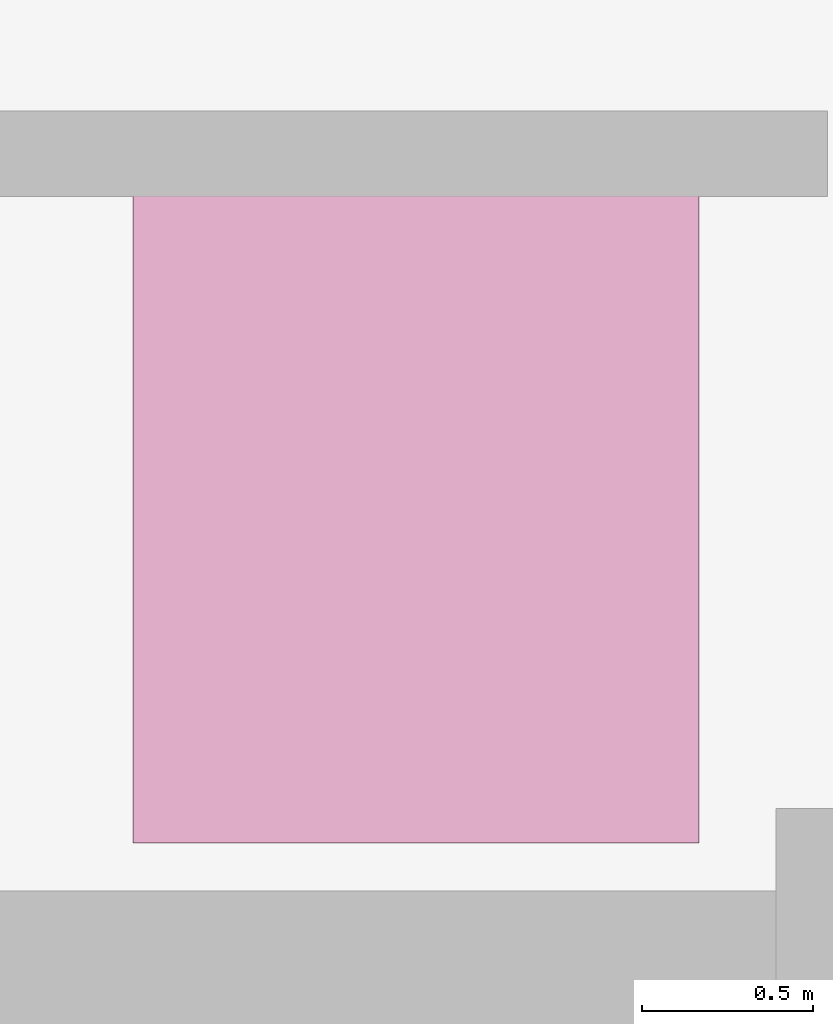
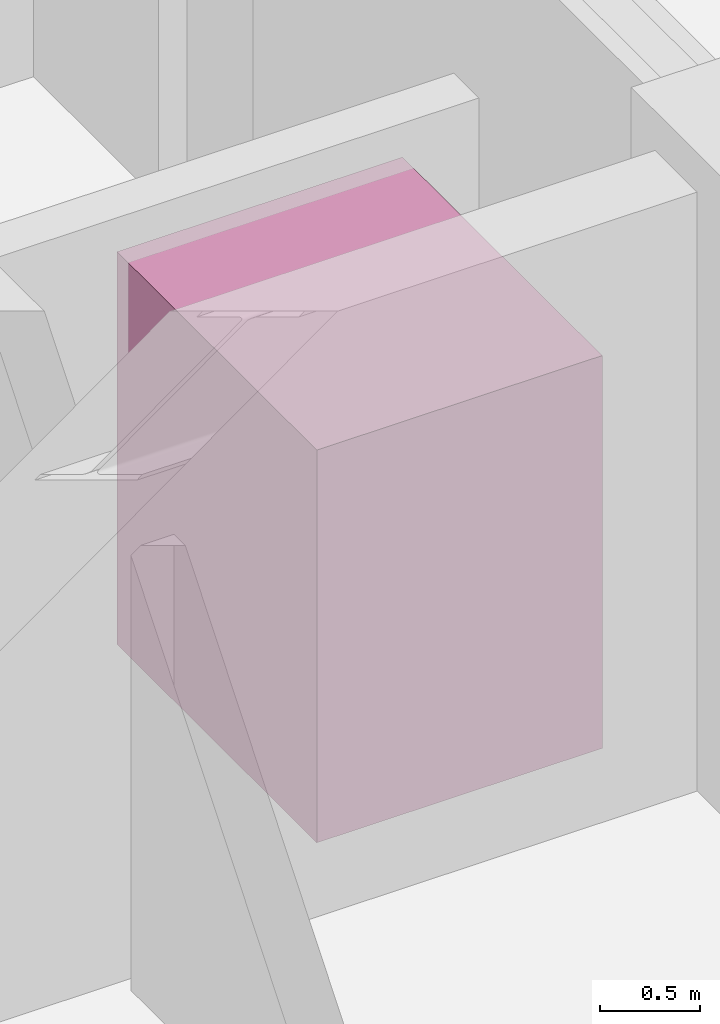
# One storey, part 11 of 11: 1 transport element.
"""IFC4 building model written with IfcOpenShell, lengths in metres."""

import ifcopenshell
import ifcopenshell.guid

model = None  # the IFC model being written
_history = None  # IfcOwnerHistory: only IFC2X3 demands one
_inside = {}  # id of a spatial element -> (the spatial element, [elements in it])
_under = {}  # id of a project, library or spatial element -> (it, [spatial elements below it])
_declared = {}  # id of a project -> (the project, [libraries it declares])
_typed = {}  # id of a type object -> (the type object, [elements of that type])
_made_of = {}  # id of a material, layer set ... -> (it, [elements and type objects made of it])


def new_model(schema):
    """Start an empty IFC model of exactly this schema.

    Asked for "IFC4X3", IfcOpenShell would pick the latest addendum, in which some entities
    have other attributes; the version numbers below select the first issue.
    IFC2X3 requires an IfcOwnerHistory on every rooted entity: one is made here for all.
    """
    global model, _history
    if schema == "IFC4X3":
        model = ifcopenshell.file(schema_version=(4, 3, 0, 0))
    else:
        model = ifcopenshell.file(schema=schema)
    _inside.clear()
    _under.clear()
    _declared.clear()
    _typed.clear()
    _made_of.clear()
    _history = None
    if model.schema == "IFC2X3":
        org = make("IfcOrganization", Name="unknown")
        user = make(
            "IfcPersonAndOrganization",
            ThePerson=make("IfcPerson", FamilyName="unknown"),
            TheOrganization=org,
        )
        app = make(
            "IfcApplication",
            ApplicationDeveloper=org,
            Version="unknown",
            ApplicationFullName="unknown",
            ApplicationIdentifier="unknown",
        )
        _history = make(
            "IfcOwnerHistory",
            OwningUser=user,
            OwningApplication=app,
            ChangeAction="ADDED",
            CreationDate=0,
        )
    return model


def make(cls, **values):
    """One entity of the class cls with the attributes given. An attribute that is None is left unset."""
    return model.create_entity(
        cls, **{name: value for name, value in values.items() if value is not None}
    )


def entity(cls, *values):
    """Any entity or typed value of the class cls, its attributes in the order of the schema. None: left unset."""
    e = model.create_entity(cls)
    for i, value in enumerate(values):
        if value is not None:
            e[i] = value
    return e


def rooted(cls, **values):
    """An entity with a GlobalId (a new one), such as an element, a storey or a relation."""
    return make(cls, GlobalId=ifcopenshell.guid.new(), OwnerHistory=_history, **values)


def si_unit(unit_type, name, prefix=None):
    """IfcSIUnit, for example si_unit("LENGTHUNIT", "METRE", prefix="MILLI")."""
    return make("IfcSIUnit", UnitType=unit_type, Prefix=prefix, Name=name)


def converted_unit(unit_type, name, factor, base, dimensions=None, offset=None):
    """IfcConversionBasedUnit, such as the inch: factor (a typed value) times the base unit."""
    return make(
        "IfcConversionBasedUnit"
        if offset is None
        else "IfcConversionBasedUnitWithOffset",
        ConversionOffset=offset,
        Dimensions=None
        if dimensions is None
        else entity("IfcDimensionalExponents", *dimensions),
        UnitType=unit_type,
        Name=name,
        ConversionFactor=make(
            "IfcMeasureWithUnit", ValueComponent=factor, UnitComponent=base
        ),
    )


def assignment(units):
    """IfcUnitAssignment: the units of a project."""
    return None if units is None else make("IfcUnitAssignment", Units=units)


def point(xyz):
    """IfcCartesianPoint."""
    return None if xyz is None else make("IfcCartesianPoint", Coordinates=xyz)


def direction(xyz):
    """IfcDirection."""
    return None if xyz is None else make("IfcDirection", DirectionRatios=xyz)


def frame(location, z_axis=None, x_axis=None):
    """IfcAxis2Placement3D, a coordinate frame: its origin and axes. An axis left out is left unset."""
    return make(
        "IfcAxis2Placement3D",
        Location=point(location),
        Axis=direction(z_axis),
        RefDirection=direction(x_axis),
    )


def frame_2d(location, x_axis=None):
    """IfcAxis2Placement2D, a coordinate frame in the plane: its origin and x axis."""
    return make(
        "IfcAxis2Placement2D", Location=point(location), RefDirection=direction(x_axis)
    )


def origin_with_axes():
    """The frame at (0, 0, 0) with the z axis (0, 0, 1) and the x axis (1, 0, 0) written out."""
    return frame((0.0, 0.0, 0.0), z_axis=(0.0, 0.0, 1.0), x_axis=(1.0, 0.0, 0.0))


def origin_2d_with_axis():
    """The frame at (0, 0) in the plane with the x axis (1, 0) written out."""
    return frame_2d((0.0, 0.0), x_axis=(1.0, 0.0))


def place(relative_to, where):
    """IfcLocalPlacement: puts the frame where relative to a parent placement (None: the world)."""
    return make(
        "IfcLocalPlacement", PlacementRelTo=relative_to, RelativePlacement=where
    )


def context(
    kind, dimensions, precision=None, world=None, true_north=None, identifier=None
):
    """IfcGeometricRepresentationContext, for example the 3D "Model" context."""
    return make(
        "IfcGeometricRepresentationContext",
        ContextIdentifier=identifier,
        ContextType=kind,
        CoordinateSpaceDimension=dimensions,
        Precision=precision,
        WorldCoordinateSystem=world,
        TrueNorth=true_north,
    )


def subcontext(parent, identifier, kind, view, scale=None):
    """IfcGeometricRepresentationSubContext, for example "Body" below "Model"."""
    return make(
        "IfcGeometricRepresentationSubContext",
        ContextIdentifier=identifier,
        ContextType=kind,
        ParentContext=parent,
        TargetScale=scale,
        TargetView=view,
    )


def project(units=None, contexts=None):
    """IfcProject with its units and contexts."""
    return rooted(
        "IfcProject",
        Name="project",
        RepresentationContexts=contexts,
        UnitsInContext=assignment(units),
    )


def spatial(cls, under=None, at=None, **own):
    """A site, building, storey or space (cls), placed at a placement, below another one or the project."""
    s = rooted(cls, ObjectPlacement=at, **own)
    if under is not None:
        _under.setdefault(under.id(), (under, []))[1].append(s)
    return s


def profile(cls, at=None, kind="AREA", **sizes):
    """A parametric profile (cls). Its sizes go by their IFC names, for example OverallWidth=200.0."""
    return make(cls, ProfileType=kind, Position=at, **sizes)


def rectangle(**sizes):
    """IfcRectangleProfileDef."""
    return profile("IfcRectangleProfileDef", **sizes)


def extrude(swept, where, along, depth):
    """IfcExtrudedAreaSolid: the profile swept, set in the frame where, extruded along a direction by depth."""
    return make(
        "IfcExtrudedAreaSolid",
        SweptArea=swept,
        Position=where,
        ExtrudedDirection=direction(along),
        Depth=depth,
    )


def shape(context_of_items, identifier, shape_type, items):
    """IfcShapeRepresentation: the items that make up one representation, for example the "Body"."""
    return make(
        "IfcShapeRepresentation",
        ContextOfItems=context_of_items,
        RepresentationIdentifier=identifier,
        RepresentationType=shape_type,
        Items=items,
    )


def material(Name=None, Category=None):
    """IfcMaterial."""
    return make("IfcMaterial", Name=Name, Category=Category)


def made_of(thing, what):
    """Note that an element or type object is made of a material, layer set ...; save() writes the relation."""
    if what is not None:
        _made_of.setdefault(what.id(), (what, []))[1].append(thing)
    return thing


def type_object(cls, material=None, **own):
    """A type object (cls), such as IfcWallType, which elements share."""
    return made_of(rooted(cls, **own), material)


def element(
    cls,
    number,
    at=None,
    inside=None,
    cuts=None,
    type_object=None,
    material=None,
    context=None,
    identifier="Body",
    shape_type=None,
    held_by="IfcProductDefinitionShape",
    body=None,
    shapes=None,
    **own,
):
    """One element of the class cls, such as IfcWall. Its Tag is "e" and its number.

    at: its placement. inside: the storey or other place that contains it. cuts: it is an
    opening in that element (IfcRelVoidsElement). A single representation is given by context,
    identifier, shape_type and body (its items); several are given by shapes. held_by: the class
    of the entity that holds the representations. save() writes the other relations.
    """
    e = rooted(cls, Tag="e%d" % number, ObjectPlacement=at, **own)
    if body is not None:
        shapes = [shape(context, identifier, shape_type, body)]
    if shapes is not None:
        e.Representation = make(held_by, Representations=shapes)
    if inside is not None:
        _inside.setdefault(inside.id(), (inside, []))[1].append(e)
    if cuts is not None:
        rooted(
            "IfcRelVoidsElement", RelatingBuildingElement=cuts, RelatedOpeningElement=e
        )
    if type_object is not None:
        _typed.setdefault(type_object.id(), (type_object, []))[1].append(e)
    return made_of(e, material)


def aggregate(whole, parts):
    """IfcRelAggregates: a whole, such as a stair, and the parts it consists of."""
    return rooted("IfcRelAggregates", RelatingObject=whole, RelatedObjects=parts)


def save(model, path):
    """Write the relations noted so far, then the file.

    IfcRelAggregates (storeys below a building ...), IfcRelContainedInSpatialStructure (elements
    in a storey), IfcRelDefinesByType, IfcRelAssociatesMaterial and IfcRelDeclares: one each for
    every whole, place, type object, material and project.
    """
    for whole, parts in _under.values():
        aggregate(whole, parts)
    for where, things in _inside.values():
        rooted(
            "IfcRelContainedInSpatialStructure",
            RelatedElements=things,
            RelatingStructure=where,
        )
    for kind, things in _typed.values():
        rooted("IfcRelDefinesByType", RelatedObjects=things, RelatingType=kind)
    for what, things in _made_of.values():
        rooted("IfcRelAssociatesMaterial", RelatedObjects=things, RelatingMaterial=what)
    for by, libraries in _declared.values():
        rooted("IfcRelDeclares", RelatingContext=by, RelatedDefinitions=libraries)
    model.write(path)


model = new_model("IFC4")

# Units and contexts
model_context = context("Model", 3, precision=1e-05, world=origin_with_axes(), true_north=direction((0.0, 1.0)))
body_context = subcontext(model_context, "Body", "Model", "MODEL_VIEW")
ifc_project = project(units=[si_unit("LENGTHUNIT", "METRE"), si_unit("AREAUNIT", "SQUARE_METRE"), si_unit("VOLUMEUNIT", "CUBIC_METRE"), converted_unit("PLANEANGLEUNIT", "DEGREE", entity("IfcPlaneAngleMeasure", 0.017453292519943295), si_unit("PLANEANGLEUNIT", "RADIAN"), dimensions=[0, 0, 0, 0, 0, 0, 0]), si_unit("MASSUNIT", "GRAM", prefix="KILO"), si_unit("THERMODYNAMICTEMPERATUREUNIT", "KELVIN")], contexts=[model_context])

# Site, building, storey
site_placement = place(None, origin_with_axes())
site = spatial("IfcSite", under=ifc_project, at=site_placement, CompositionType="ELEMENT")
building_placement = place(site_placement, origin_with_axes())
building = spatial("IfcBuilding", under=site, at=building_placement, Name="Varnlund Millrace Tower", CompositionType="ELEMENT")
storey_placement = place(building_placement, frame((0.0, 0.0, 224.7), z_axis=(0.0, 0.0, 1.0), x_axis=(1.0, 0.0, 0.0)))
storey = spatial("IfcBuildingStorey", under=building, at=storey_placement, Name="L55", CompositionType="ELEMENT", Elevation=224.7)

# Transport element
ifc_material = material(Name="Stainless steel and architectural bronze elevator cab", Category="steel")
transport_element_type = type_object("IfcTransportElementType", Name="Type-Lift-Passenger-2000X1650", PredefinedType="ELEVATOR", material=ifc_material)
transport_element_placement = place(storey_placement, frame((46.55, 8.55, 0.0), z_axis=(0.0, 0.0, 1.0), x_axis=(1.0, 0.0, 0.0)))
element("IfcTransportElement", 1, at=transport_element_placement, inside=storey, type_object=transport_element_type, Name="Passenger Lift ELV-H3 (Bank 3)", PredefinedType="ELEVATOR", context=body_context, shape_type="SweptSolid", body=[
    extrude(rectangle(XDim=1.65, YDim=2.0, at=origin_2d_with_axis()), origin_with_axes(), (0.0, 0.0, 1.0), 2.4),
])

save(model, "model.ifc")
